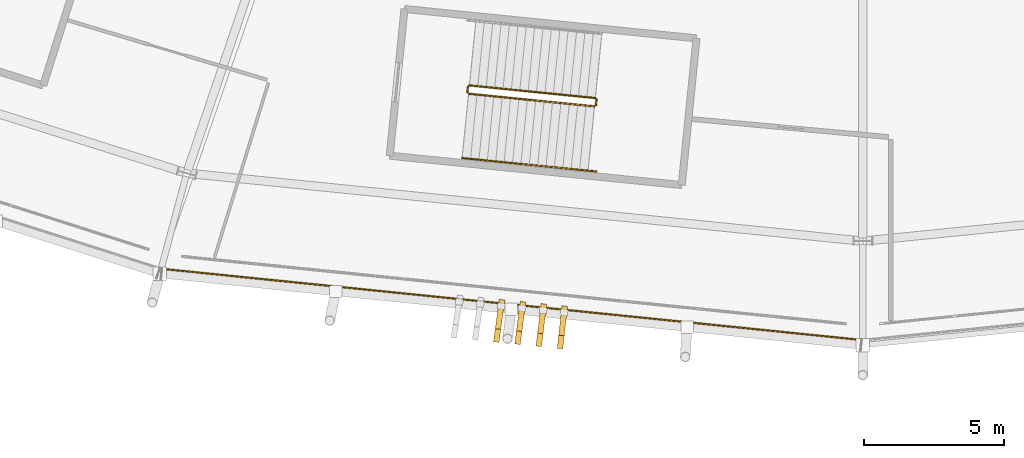
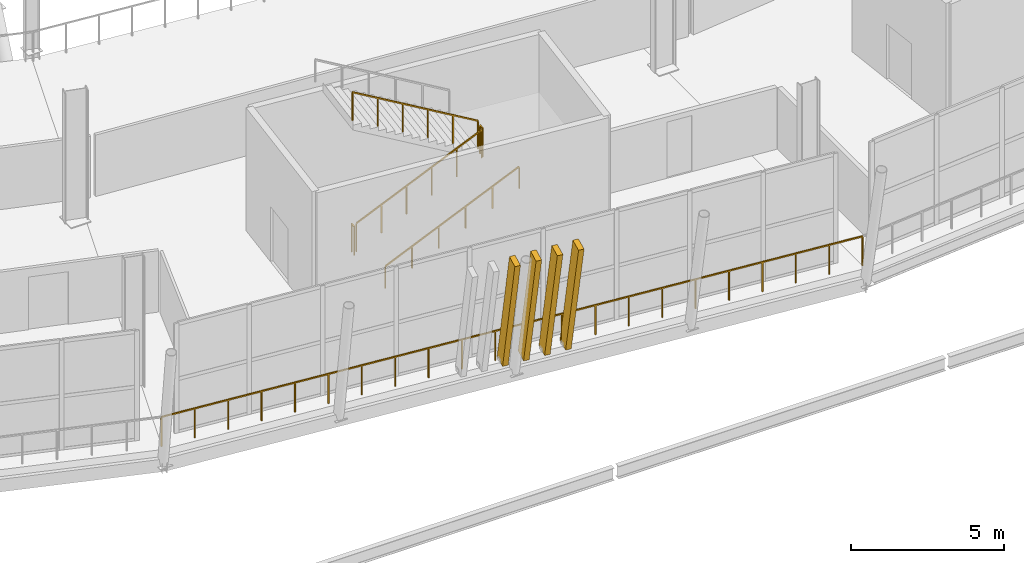
# One storey, part 143 of 168: 6 railings, 4 shading devices.
"""IFC4 building model written with IfcOpenShell, lengths in metres."""

from ifc_helpers import new_model, si_unit, direction, frame, origin, origin_2d, place, context, subcontext, project, spatial, rectangle, extrude, material, material_profile, profile_set, type_object, element, save


model = new_model("IFC4")

# Units and contexts
model_context = context("Model", 3, precision=1e-05, world=origin(), true_north=direction((0.0, 1.0)))
body_context = subcontext(model_context, "Body", "Model", "MODEL_VIEW")
ifc_project = project(units=[si_unit("LENGTHUNIT", "METRE"), si_unit("AREAUNIT", "SQUARE_METRE"), si_unit("VOLUMEUNIT", "CUBIC_METRE"), si_unit("PLANEANGLEUNIT", "RADIAN"), si_unit("MASSUNIT", "GRAM", prefix="KILO")], contexts=[model_context])

# Site, building, storey
site_placement = place(None, origin())
site = spatial("IfcSite", under=ifc_project, at=site_placement, CompositionType="ELEMENT")
building_placement = place(site_placement, origin())
building = spatial("IfcBuilding", under=site, at=building_placement, Name="Zlatoyarsky Gate Stadium", CompositionType="ELEMENT")
storey_placement = place(building_placement, frame((0.0, 0.0, 15.60009765625)))
storey = spatial("IfcBuildingStorey", under=building, at=storey_placement, Name="L03", CompositionType="ELEMENT", Elevation=15.60009765625)

# Railings
ifc_material_1 = material(Name="Powder-coated steel tubular guardrail", Category="steel")
railing_type_1 = type_object("IfcRailingType", Name="CONCOURSE SLAB EDGE GUARDRAIL 1200", PredefinedType="GUARDRAIL", material=ifc_material_1)
railing_1_placement = place(storey_placement, frame((86.018310546875, 8.01708984375, 0.0)))
element("IfcRailing", 1, at=railing_1_placement, inside=storey, type_object=railing_type_1, Name="L03 outer slab edge guardrail 17", PredefinedType="GUARDRAIL", context=body_context, shape_type="SweptSolid", body=[
    extrude(rectangle(XDim=0.048095703125, YDim=0.048095703125, at=origin_2d()), frame((0.0, 0.0, 1.17578125), z_axis=(0.994873662945, -0.101125638586, 0.0), x_axis=(0.101125638586, 0.994873662945, 0.0)), (0.0, 0.0, 1.0), 25.1103515625),
    extrude(rectangle(XDim=0.0419921875, YDim=0.0419921875, at=origin_2d()), origin(), (0.0, 0.0, 1.0), 1.15185546875),
    extrude(rectangle(XDim=0.0419921875, YDim=0.0419921875, at=origin_2d()), frame((1.189697265625, -0.120849609375, 0.0)), (0.0, 0.0, 1.0), 1.15185546875),
    extrude(rectangle(XDim=0.0419921875, YDim=0.0419921875, at=origin_2d()), frame((2.379150390625, -0.241943359375, 0.0)), (0.0, 0.0, 1.0), 1.15185546875),
    extrude(rectangle(XDim=0.0419921875, YDim=0.0419921875, at=origin_2d()), frame((3.56884765625, -0.36279296875, 0.0)), (0.0, 0.0, 1.0), 1.15185546875),
    extrude(rectangle(XDim=0.0419921875, YDim=0.0419921875, at=origin_2d()), frame((4.75830078125, -0.483642578125, 0.0)), (0.0, 0.0, 1.0), 1.15185546875),
    extrude(rectangle(XDim=0.0419921875, YDim=0.0419921875, at=origin_2d()), frame((5.947998046875, -0.6044921875, 0.0)), (0.0, 0.0, 1.0), 1.15185546875),
    extrude(rectangle(XDim=0.0419921875, YDim=0.0419921875, at=origin_2d()), frame((7.1376953125, -0.7255859375, 0.0)), (0.0, 0.0, 1.0), 1.15185546875),
    extrude(rectangle(XDim=0.0419921875, YDim=0.0419921875, at=origin_2d()), frame((8.3271484375, -0.846435546875, 0.0)), (0.0, 0.0, 1.0), 1.15185546875),
    extrude(rectangle(XDim=0.0419921875, YDim=0.0419921875, at=origin_2d()), frame((9.516845703125, -0.96728515625, 0.0)), (0.0, 0.0, 1.0), 1.15185546875),
    extrude(rectangle(XDim=0.0419921875, YDim=0.0419921875, at=origin_2d()), frame((10.70654296875, -1.08837890625, 0.0)), (0.0, 0.0, 1.0), 1.15185546875),
    extrude(rectangle(XDim=0.0419921875, YDim=0.0419921875, at=origin_2d()), frame((11.89599609375, -1.209228515625, 0.0)), (0.0, 0.0, 1.0), 1.15185546875),
    extrude(rectangle(XDim=0.0419921875, YDim=0.0419921875, at=origin_2d()), frame((13.085693359375, -1.330078125, 0.0)), (0.0, 0.0, 1.0), 1.15185546875),
    extrude(rectangle(XDim=0.0419921875, YDim=0.0419921875, at=origin_2d()), frame((14.275146484375, -1.450927734375, 0.0)), (0.0, 0.0, 1.0), 1.15185546875),
    extrude(rectangle(XDim=0.0419921875, YDim=0.0419921875, at=origin_2d()), frame((15.46484375, -1.572021484375, 0.0)), (0.0, 0.0, 1.0), 1.15185546875),
    extrude(rectangle(XDim=0.0419921875, YDim=0.0419921875, at=origin_2d()), frame((16.654541015625, -1.69287109375, 0.0)), (0.0, 0.0, 1.0), 1.15185546875),
    extrude(rectangle(XDim=0.0419921875, YDim=0.0419921875, at=origin_2d()), frame((17.843994140625, -1.813720703125, 0.0)), (0.0, 0.0, 1.0), 1.15185546875),
    extrude(rectangle(XDim=0.0419921875, YDim=0.0419921875, at=origin_2d()), frame((19.03369140625, -1.934814453125, 0.0)), (0.0, 0.0, 1.0), 1.15185546875),
    extrude(rectangle(XDim=0.0419921875, YDim=0.0419921875, at=origin_2d()), frame((20.223388671875, -2.0556640625, 0.0)), (0.0, 0.0, 1.0), 1.15185546875),
    extrude(rectangle(XDim=0.0419921875, YDim=0.0419921875, at=origin_2d()), frame((21.412841796875, -2.176513671875, 0.0)), (0.0, 0.0, 1.0), 1.15185546875),
    extrude(rectangle(XDim=0.0419921875, YDim=0.0419921875, at=origin_2d()), frame((22.6025390625, -2.29736328125, 0.0)), (0.0, 0.0, 1.0), 1.15185546875),
    extrude(rectangle(XDim=0.0419921875, YDim=0.0419921875, at=origin_2d()), frame((23.7919921875, -2.41845703125, 0.0)), (0.0, 0.0, 1.0), 1.15185546875),
    extrude(rectangle(XDim=0.0419921875, YDim=0.0419921875, at=origin_2d()), frame((24.981689453125, -2.539306640625, 0.0)), (0.0, 0.0, 1.0), 1.15185546875),
])
ifc_material_2 = material(Name="Powder-coated steel stair guardrail", Category="steel")
railing_type_2 = type_object("IfcRailingType", Name="PAINTED STEEL STAIR WELL GUARDRAIL 1150", PredefinedType="GUARDRAIL", material=ifc_material_2)
railing_2_placement = place(storey_placement, frame((96.96533203125, 14.247314453125, 0.162353515625)))
element("IfcRailing", 2, at=railing_2_placement, inside=storey, type_object=railing_type_2, Name="ST-19 L03 stair guard 1", PredefinedType="GUARDRAIL", context=body_context, shape_type="SweptSolid", body=[
    extrude(rectangle(XDim=0.048095703125, YDim=0.048095703125, at=origin_2d()), frame((0.0, 0.0, 1.1259765625), z_axis=(0.874889575762, -0.087918292701, 0.47627576469), x_axis=(0.099987144365, 0.994988729063, 0.0)), (0.0, 0.0, 1.0), 5.117919921875),
    extrude(rectangle(XDim=0.0419921875, YDim=0.0419921875, at=origin_2d()), origin(), (0.0, 0.0, 1.0), 1.101806640625),
    extrude(rectangle(XDim=0.0419921875, YDim=0.0419921875, at=origin_2d()), frame((0.8955078125, -0.090087890625, 0.487548828125)), (0.0, 0.0, 1.0), 1.101806640625),
    extrude(rectangle(XDim=0.0419921875, YDim=0.0419921875, at=origin_2d()), frame((1.791015625, -0.179931640625, 0.97509765625)), (0.0, 0.0, 1.0), 1.101806640625),
    extrude(rectangle(XDim=0.0419921875, YDim=0.0419921875, at=origin_2d()), frame((2.6865234375, -0.27001953125, 1.46240234375)), (0.0, 0.0, 1.0), 1.101806640625),
    extrude(rectangle(XDim=0.0419921875, YDim=0.0419921875, at=origin_2d()), frame((3.58203125, -0.35986328125, 1.949951171875)), (0.0, 0.0, 1.0), 1.101806640625),
    extrude(rectangle(XDim=0.0419921875, YDim=0.0419921875, at=origin_2d()), frame((4.4775390625, -0.449951171875, 2.4375)), (0.0, 0.0, 1.0), 1.101806640625),
])
railing_3_placement = place(storey_placement, frame((101.49755859375, 13.842041015625, 2.599853515625)))
element("IfcRailing", 3, at=railing_3_placement, inside=storey, type_object=railing_type_2, Name="ST-19 L03 stair guard 2", PredefinedType="GUARDRAIL", context=body_context, shape_type="SweptSolid", body=[
    extrude(rectangle(XDim=0.048095703125, YDim=0.048095703125, at=origin_2d()), frame((0.0, 0.0, 1.1259765625), z_axis=(0.100108072026, 0.994976569531, 0.0), x_axis=(-0.994976569531, 0.100108072026, 0.0)), (0.0, 0.0, 1.0), 0.199951171875),
    extrude(rectangle(XDim=0.0419921875, YDim=0.0419921875, at=origin_2d()), origin(), (0.0, 0.0, 1.0), 1.101806640625),
    extrude(rectangle(XDim=0.0419921875, YDim=0.0419921875, at=origin_2d()), frame((0.02001953125, 0.198974609375, 0.0)), (0.0, 0.0, 1.0), 1.101806640625),
])
railing_4_placement = place(storey_placement, frame((101.472900390625, 14.095947265625, 2.762451171875)))
element("IfcRailing", 4, at=railing_4_placement, inside=storey, type_object=railing_type_2, Name="ST-19 L03 stair guard 3", PredefinedType="GUARDRAIL", context=body_context, shape_type="SweptSolid", body=[
    extrude(rectangle(XDim=0.048095703125, YDim=0.048095703125, at=origin_2d()), frame((0.0, 0.0, 1.1259765625), z_axis=(-0.874889575762, 0.087918292701, 0.47627576469), x_axis=(-0.099987144365, -0.994988729063, 0.0)), (0.0, 0.0, 1.0), 5.117919921875),
    extrude(rectangle(XDim=0.0419921875, YDim=0.0419921875, at=origin_2d()), origin(), (0.0, 0.0, 1.0), 1.101806640625),
    extrude(rectangle(XDim=0.0419921875, YDim=0.0419921875, at=origin_2d()), frame((-0.8955078125, 0.090087890625, 0.487548828125)), (0.0, 0.0, 1.0), 1.101806640625),
    extrude(rectangle(XDim=0.0419921875, YDim=0.0419921875, at=origin_2d()), frame((-1.791015625, 0.179931640625, 0.97509765625)), (0.0, 0.0, 1.0), 1.101806640625),
    extrude(rectangle(XDim=0.0419921875, YDim=0.0419921875, at=origin_2d()), frame((-2.6865234375, 0.27001953125, 1.46240234375)), (0.0, 0.0, 1.0), 1.101806640625),
    extrude(rectangle(XDim=0.0419921875, YDim=0.0419921875, at=origin_2d()), frame((-3.58203125, 0.35986328125, 1.949951171875)), (0.0, 0.0, 1.0), 1.101806640625),
    extrude(rectangle(XDim=0.0419921875, YDim=0.0419921875, at=origin_2d()), frame((-4.4775390625, 0.449951171875, 2.4375)), (0.0, 0.0, 1.0), 1.101806640625),
])
railing_5_placement = place(storey_placement, frame((96.920654296875, 14.30224609375, 0.0)))
element("IfcRailing", 5, at=railing_5_placement, inside=storey, type_object=railing_type_2, Name="ST-19 L03 stair guard 4", PredefinedType="GUARDRAIL", context=body_context, shape_type="SweptSolid", body=[
    extrude(rectangle(XDim=0.048095703125, YDim=0.048095703125, at=origin_2d()), frame((0.0, 0.0, 1.1259765625), z_axis=(0.100108072026, 0.994976569531, 0.0), x_axis=(-0.994976569531, 0.100108072026, 0.0)), (0.0, 0.0, 1.0), 0.199951171875),
    extrude(rectangle(XDim=0.0419921875, YDim=0.0419921875, at=origin_2d()), origin(), (0.0, 0.0, 1.0), 1.101806640625),
    extrude(rectangle(XDim=0.0419921875, YDim=0.0419921875, at=origin_2d()), frame((0.02001953125, 0.198974609375, 0.0)), (0.0, 0.0, 1.0), 1.101806640625),
])

# Shading devices
ifc_material_3 = material(Name="Precast concrete C40/50 stone-toned architectural rib", Category="masonry")
ifc_material_profile = material_profile(ifc_material_3, rectangle(XDim=0.199951171875, YDim=0.47998046875, at=origin_2d()), Name="RIB 200X480")
ifc_profile_set = profile_set([ifc_material_profile], Name="Precast concrete C40/50 stone-toned architectural rib")
shading_device_type = type_object("IfcShadingDeviceType", Name="PRECAST FLUTED GATE LOUVRE BLADE 200X480", PredefinedType="SHUTTER", material=ifc_profile_set)
for number, where, z_axis, x_axis, name in (
    (6, (98.123046875, 6.68701171875, -0.010009765625), (-0.02973495566, -0.219435798213, 0.975173709077), (0.990943539238, -0.134279194374, 0.0), "Leaning bowl louvre fin L03-17-3"),
    (7, (98.869140625, 6.611083984375, -0.010009765625), (-0.028049060904, -0.219641006967, 0.975177459871), (0.991944228597, -0.126675362061, 0.0), "Leaning bowl louvre fin L03-17-4"),
    (8, (99.615478515625, 6.535400390625, -0.010009765625), (-0.026362780993, -0.219894204249, 0.975167443425), (0.992889931605, -0.119036060573, 0.0), "Leaning bowl louvre fin L03-17-5"),
    (9, (100.361572265625, 6.45947265625, -0.010009765625), (-0.02462568194, -0.220098418668, 0.975166786703), (0.993799046782, -0.111191072551, 0.0), "Leaning bowl louvre fin L03-17-6"),
):
    element("IfcShadingDevice", number, at=place(storey_placement, frame(where, z_axis=z_axis, x_axis=x_axis)), inside=storey, type_object=shading_device_type, Name=name, PredefinedType="SHUTTER", context=body_context, shape_type="SweptSolid", body=[
        extrude(rectangle(XDim=0.199951171875, YDim=0.47998046875, at=origin_2d()), origin(), (0.0, 0.0, 1.0), 4.778564453125),
    ])

# Railing
ifc_material_4 = material(Name="Brushed stainless steel 316 handrail", Category="steel")
railing_type_3 = type_object("IfcRailingType", Name="STAINLESS STEEL TUBULAR HANDRAIL 900", PredefinedType="HANDRAIL", material=ifc_material_4)
railing_6_placement = place(storey_placement, frame((96.7353515625, 11.958984375, 0.16650390625)))
element("IfcRailing", 10, at=railing_6_placement, inside=storey, type_object=railing_type_3, Name="ST-19 L03 stair handrail 1", PredefinedType="HANDRAIL", context=body_context, shape_type="SweptSolid", body=[
    extrude(rectangle(XDim=0.048095703125, YDim=0.048095703125, at=origin_2d()), frame((0.0, 0.0, 0.8759765625), z_axis=(0.87490379467, -0.087924186491, 0.47624855643), x_axis=(0.099992171352, 0.994988223884, 0.0)), (0.0, 0.0, 1.0), 5.458984375),
    extrude(rectangle(XDim=0.0419921875, YDim=0.0419921875, at=origin_2d()), origin(), (0.0, 0.0, 1.0), 0.851806640625),
    extrude(rectangle(XDim=0.0419921875, YDim=0.0419921875, at=origin_2d()), frame((0.955322265625, -0.095947265625, 0.52001953125)), (0.0, 0.0, 1.0), 0.851806640625),
    extrude(rectangle(XDim=0.0419921875, YDim=0.0419921875, at=origin_2d()), frame((1.910400390625, -0.19189453125, 1.0400390625)), (0.0, 0.0, 1.0), 0.851806640625),
    extrude(rectangle(XDim=0.0419921875, YDim=0.0419921875, at=origin_2d()), frame((2.86572265625, -0.2880859375, 1.559814453125)), (0.0, 0.0, 1.0), 0.851806640625),
    extrude(rectangle(XDim=0.0419921875, YDim=0.0419921875, at=origin_2d()), frame((3.82080078125, -0.384033203125, 2.079833984375)), (0.0, 0.0, 1.0), 0.851806640625),
    extrude(rectangle(XDim=0.0419921875, YDim=0.0419921875, at=origin_2d()), frame((4.776123046875, -0.47998046875, 2.599853515625)), (0.0, 0.0, 1.0), 0.851806640625),
])

save(model, "model.ifc")
